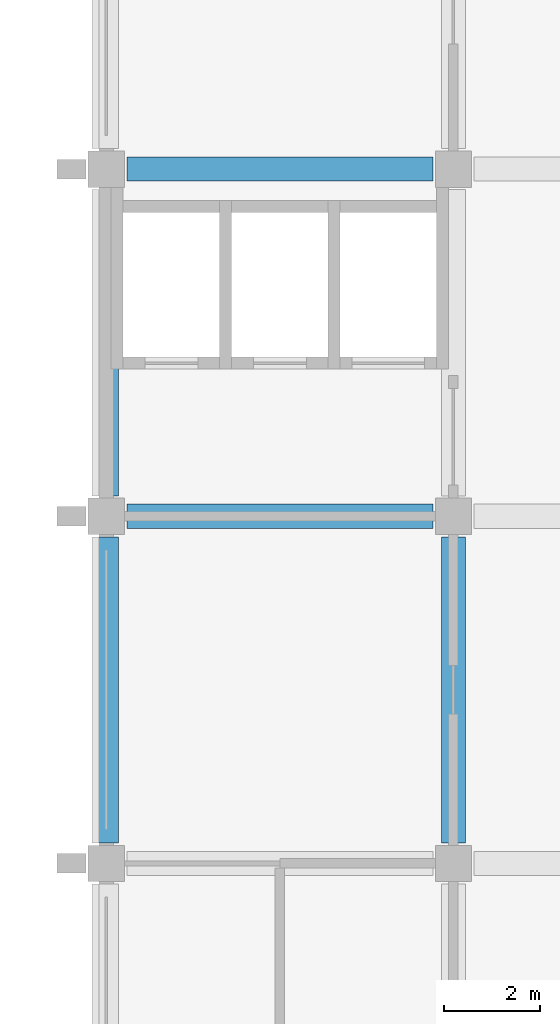
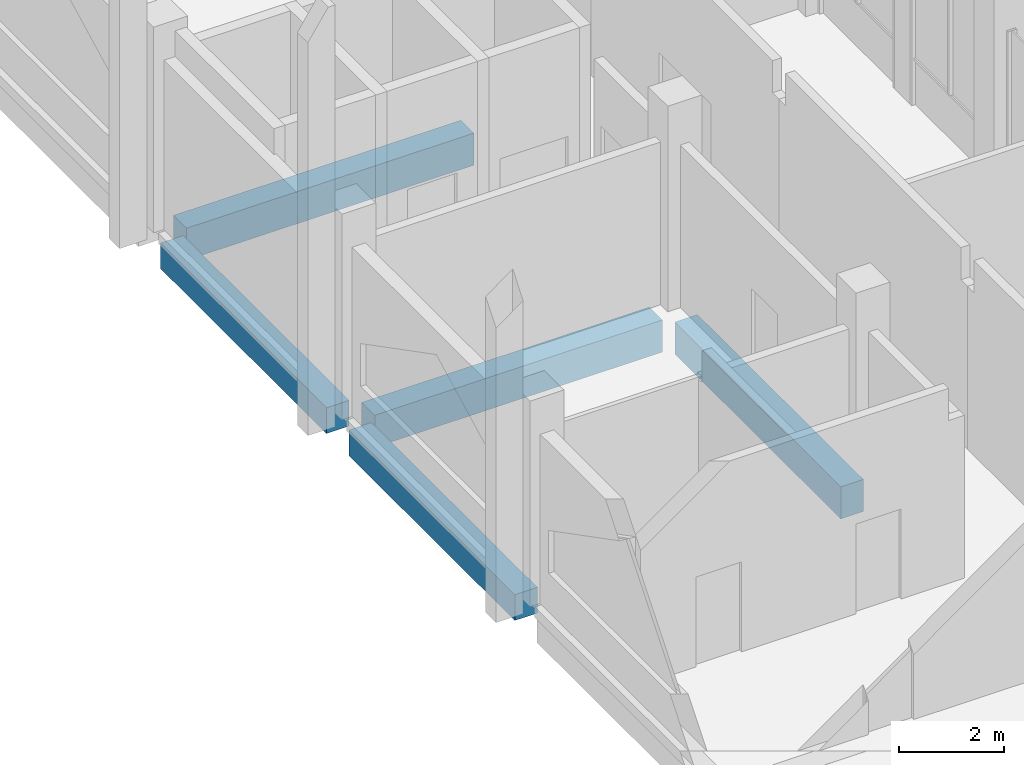
# One storey, part 17 of 40: 5 beams.
"""IFC4 building model written with IfcOpenShell, lengths in metres."""

from ifc_helpers import new_model, si_unit, direction, frame, origin, origin_2d, place, context, subcontext, project, spatial, rectangle, extrude, material, material_profile, profile_set, type_object, element, save


model = new_model("IFC4")

# Units and contexts
model_context = context("Model", 3, precision=1e-05, world=origin(), true_north=direction((0.0, 1.0)))
body_context = subcontext(model_context, "Body", "Model", "MODEL_VIEW")
ifc_project = project(units=[si_unit("LENGTHUNIT", "METRE"), si_unit("AREAUNIT", "SQUARE_METRE"), si_unit("VOLUMEUNIT", "CUBIC_METRE"), si_unit("PLANEANGLEUNIT", "RADIAN"), si_unit("MASSUNIT", "GRAM", prefix="KILO")], contexts=[model_context])

# Site, building, storey
site_placement = place(None, origin())
site = spatial("IfcSite", under=ifc_project, at=site_placement, CompositionType="ELEMENT")
building_placement = place(site_placement, origin())
building = spatial("IfcBuilding", under=site, at=building_placement, Name="Silangan Lancet Faculty of Sciences", CompositionType="ELEMENT")
storey_placement = place(building_placement, frame((0.0, 0.0, 21.60009765625)))
storey = spatial("IfcBuildingStorey", under=building, at=storey_placement, Name="L04", CompositionType="ELEMENT", Elevation=21.60009765625)

# Beams
ifc_material_1 = material(Name="Concrete C40/50", Category="concrete")
ifc_material_profile_1 = material_profile(ifc_material_1, rectangle(XDim=0.5, YDim=0.60009765625, at=origin_2d()), Name="RC 500x600")
ifc_profile_set_1 = profile_set([ifc_material_profile_1], Name="Concrete C40/50")
beam_type_1 = type_object("IfcBeamType", Name="BEAM RC 500x600", PredefinedType="BEAM", material=ifc_profile_set_1)
for number, where, z_axis, x_axis, name in (
    (1, (72.0, 14.824951171875, -0.550048828125), (0.0, 1.0, 0.0), (-1.0, 0.0, 0.0), "BM-L04-11C-11D"),
    (2, (72.0, 22.02490234375, -0.550048828125), (0.0, 1.0, 0.0), (-1.0, 0.0, 0.0), "BM-L04-11D-11E"),
):
    element("IfcBeam", number, at=place(storey_placement, frame(where, z_axis=z_axis, x_axis=x_axis)), inside=storey, type_object=beam_type_1, Name=name, PredefinedType="BEAM", context=body_context, shape_type="SweptSolid", body=[
        extrude(rectangle(XDim=0.5, YDim=0.60009765625, at=origin_2d()), origin(), (0.0, 0.0, 1.0), 6.35009765625),
    ])
ifc_material_2 = material(Name="Concrete C40/50", Category="concrete")
ifc_material_profile_2 = material_profile(ifc_material_2, rectangle(XDim=0.5, YDim=0.75, at=origin_2d()), Name="RC 500x750")
ifc_profile_set_2 = profile_set([ifc_material_profile_2], Name="Concrete C40/50")
beam_type_2 = type_object("IfcBeamType", Name="BEAM RC 500x750", PredefinedType="BEAM", material=ifc_profile_set_2)
for number, where, z_axis, x_axis, name in (
    (3, (72.425048828125, 21.60009765625, -0.625), (1.0, 0.0, 0.0), (0.0, 1.0, 0.0), "BM-L04-11D-12D"),
    (4, (72.425048828125, 28.800048828125, -0.625), (1.0, 0.0, 0.0), (0.0, 1.0, 0.0), "BM-L04-11E-12E"),
):
    element("IfcBeam", number, at=place(storey_placement, frame(where, z_axis=z_axis, x_axis=x_axis)), inside=storey, type_object=beam_type_2, Name=name, PredefinedType="BEAM", context=body_context, shape_type="SweptSolid", body=[
        extrude(rectangle(XDim=0.5, YDim=0.75, at=origin_2d()), origin(), (0.0, 0.0, 1.0), 6.349853515625),
    ])
beam_placement = place(storey_placement, frame((79.199951171875, 14.824951171875, -0.625), z_axis=(0.0, 1.0, 0.0), x_axis=(-1.0, 0.0, 0.0)))
element("IfcBeam", 5, at=beam_placement, inside=storey, type_object=beam_type_2, Name="BM-L04-12C-12D", PredefinedType="BEAM", context=body_context, shape_type="SweptSolid", body=[
    extrude(rectangle(XDim=0.5, YDim=0.75, at=origin_2d()), origin(), (0.0, 0.0, 1.0), 6.35009765625),
])

save(model, "model.ifc")
